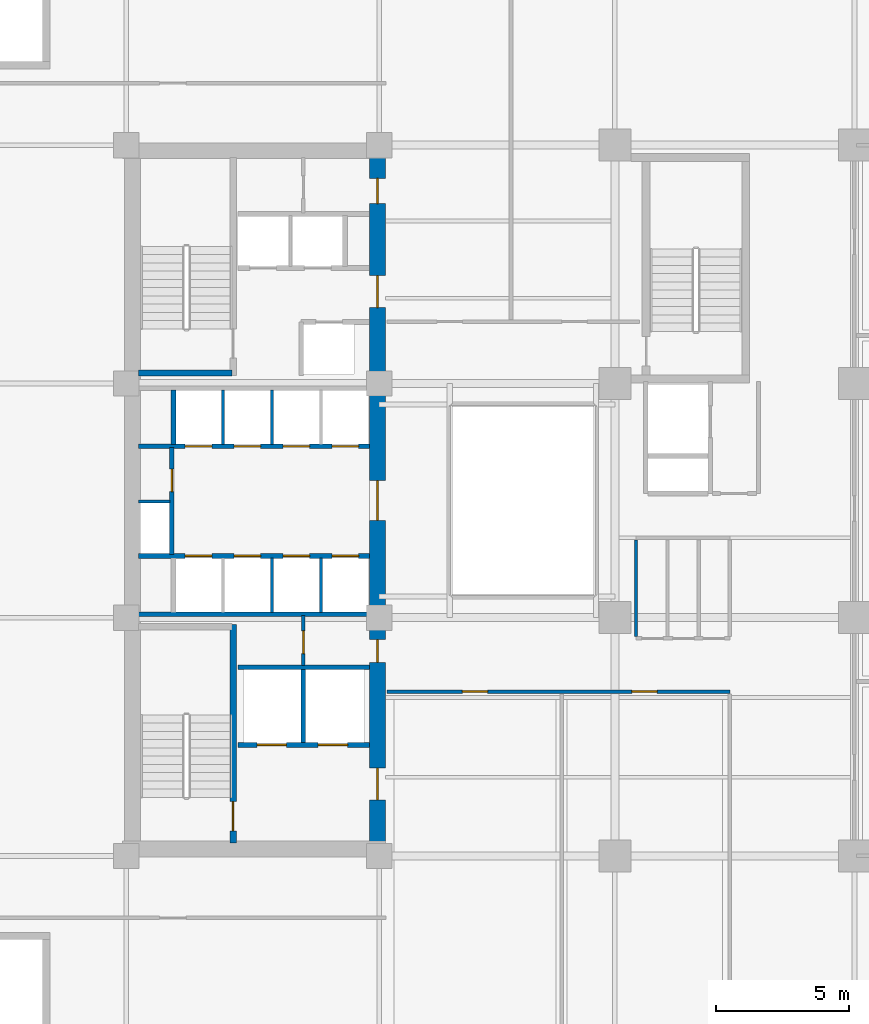
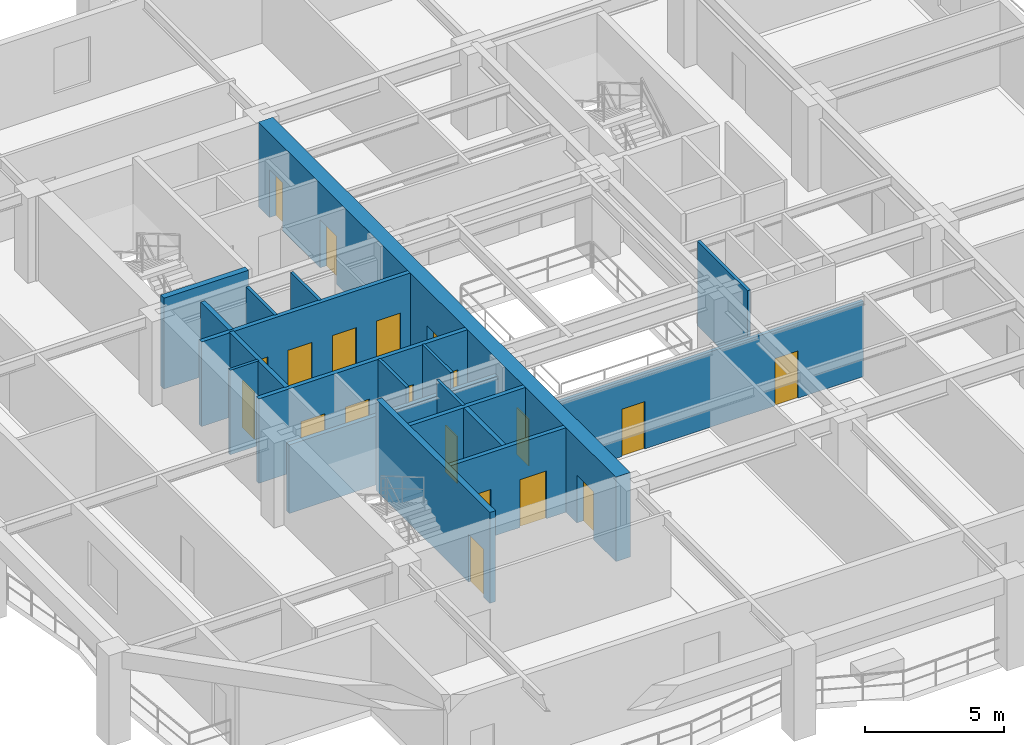
# One storey, part 3 of 12: 20 doors, 19 walls, 20 openings.
"""IFC4 building model written with IfcOpenShell, lengths in metres."""

from ifc_helpers import new_model, si_unit, direction, frame, frame_2d, origin, place, context, subcontext, project, spatial, rectangle, extrude, material, layer, layer_set, type_object, element, fill, save


model = new_model("IFC4")

# Units and contexts
model_context = context("Model", 3, precision=1e-05, world=origin(), true_north=direction((0.0, 1.0)))
body_context = subcontext(model_context, "Body", "Model", "MODEL_VIEW")
ifc_project = project(units=[si_unit("LENGTHUNIT", "METRE"), si_unit("AREAUNIT", "SQUARE_METRE"), si_unit("VOLUMEUNIT", "CUBIC_METRE"), si_unit("PLANEANGLEUNIT", "RADIAN"), si_unit("MASSUNIT", "GRAM", prefix="KILO")], contexts=[model_context])

# Site, building, storey
site_placement = place(None, origin())
site = spatial("IfcSite", under=ifc_project, at=site_placement, CompositionType="ELEMENT")
building_placement = place(site_placement, origin())
building = spatial("IfcBuilding", under=site, at=building_placement, Name="Kundavana Baori Tower", CompositionType="ELEMENT")
storey_placement = place(building_placement, frame((0.0, 0.0, 46.0)))
storey = spatial("IfcBuildingStorey", under=building, at=storey_placement, Name="L10", CompositionType="ELEMENT", Elevation=46.0)

# Wall, opening, door
ifc_material_1 = material(Name="Concrete C50/60", Category="concrete")
ifc_layer_1 = layer(ifc_material_1, 0.39990234375, Name="WL-CORE-400")
ifc_layer_set_1 = layer_set([ifc_layer_1], Name="Concrete C50/60")
wall_type_1 = type_object("IfcWallType", Name="WL-CORE-400", PredefinedType="SHEAR", material=ifc_layer_set_1)
wall_1_placement = place(storey_placement, frame((19.4599609375, 15.739990234375, 0.0), z_axis=(0.0, 0.0, 1.0), x_axis=(0.0, 1.0, 0.0)))
wall_1 = element("IfcWall", 1, at=wall_1_placement, inside=storey, type_object=wall_type_1, Name="WL-L10-ST1-E", PredefinedType="SHEAR", context=body_context, shape_type="SweptSolid", body=[
    extrude(rectangle(XDim=8.199951171875, YDim=0.239990234375, at=frame_2d((4.10009765625, 0.0))), origin(), (0.0, 0.0, 1.0), 4.0),
])
opening_1_placement = place(wall_1_placement, frame((0.449951171875, 0.0, 0.0)))
opening_1 = element("IfcOpeningElement", 2, at=opening_1_placement, cuts=wall_1, Name="Opening FD-110", PredefinedType="OPENING", context=body_context, shape_type="SweptSolid", body=[
    extrude(rectangle(XDim=1.10009765625, YDim=2.10009765625, at=frame_2d((0.550048828125, 1.050048828125))), frame((0.0, 0.1298828125, 0.0), z_axis=(0.0, -1.0, 0.0), x_axis=(1.0, 0.0, 0.0)), (0.0, 0.0, 1.0), 0.260009765625),
])
ifc_material_2 = material(Name="Galvanised Steel Fire-Rated Door Leaf", Category="steel")
door_type_1 = type_object("IfcDoorType", Name="DR-FD120-1100", OperationType="NOTDEFINED", PredefinedType="DOOR", material=ifc_material_2)
door_1_placement = place(opening_1_placement, origin())
door_1 = element("IfcDoor", 3, at=door_1_placement, inside=storey, type_object=door_type_1, Name="DR-L10-ST1", OperationType="SINGLE_SWING_LEFT", OverallHeight=2.10009765625, OverallWidth=1.10009765625, PredefinedType="DOOR", context=body_context, shape_type="SweptSolid", body=[
    extrude(rectangle(XDim=1.10009765625, YDim=2.10009765625, at=frame_2d((0.550048828125, 1.050048828125))), frame((0.0, 0.02490234375, 0.0), z_axis=(0.0, -1.0, 0.0), x_axis=(1.0, 0.0, 0.0)), (0.0, 0.0, 1.0), 0.050048828125),
])
fill(opening_1, door_1)

# Wall
wall_2_placement = place(storey_placement, frame((15.89990234375, 33.389892578125, 0.0), z_axis=(0.0, 0.0, 1.0), x_axis=(1.0, 0.0, 0.0)))
element("IfcWall", 4, at=wall_2_placement, inside=storey, type_object=wall_type_1, Name="WL-L10-ST2-S", PredefinedType="SHEAR", context=body_context, shape_type="SweptSolid", body=[
    extrude(rectangle(XDim=3.52001953125, YDim=0.239990234375, at=frame_2d((1.760009765625, 0.0))), origin(), (0.0, 0.0, 1.0), 4.0),
])

# Wall, openings, doors
ifc_material_3 = material(Name="Concrete C60/75", Category="concrete")
ifc_layer_2 = layer(ifc_material_3, 0.60009765625, Name="WL-CORE-600")
ifc_layer_set_2 = layer_set([ifc_layer_2], Name="Concrete C60/75")
wall_type_2 = type_object("IfcWallType", Name="WL-CORE-600", PredefinedType="SHEAR", material=ifc_layer_set_2)
wall_3_placement = place(storey_placement, frame((24.8798828125, 15.739990234375, 0.0), z_axis=(0.0, 0.0, 1.0), x_axis=(0.0, 1.0, 0.0)))
wall_3 = element("IfcWall", 5, at=wall_3_placement, inside=storey, type_object=wall_type_2, Name="L10 Offset Core East Shear Wall", PredefinedType="SHEAR", context=body_context, shape_type="SweptSolid", body=[
    extrude(rectangle(XDim=25.760009765625, YDim=0.60009765625, at=frame_2d((12.8798828125, 0.0))), origin(), (0.0, 0.0, 1.0), 3.719970703125),
])
opening_2_placement = place(wall_3_placement, frame((1.610107421875, 0.0, 0.0)))
opening_2 = element("IfcOpeningElement", 6, at=opening_2_placement, cuts=wall_3, Name="Opening FD-120", PredefinedType="OPENING", context=body_context, shape_type="SweptSolid", body=[
    extrude(rectangle(XDim=1.199951171875, YDim=2.10009765625, at=frame_2d((0.60009765625, 1.050048828125))), frame((0.0, 0.31005859375, 0.0), z_axis=(0.0, -1.0, 0.0), x_axis=(1.0, 0.0, 0.0)), (0.0, 0.0, 1.0), 0.6201171875),
])
opening_3_placement = place(wall_3_placement, frame((6.780029296875, 0.0, 0.0)))
opening_3 = element("IfcOpeningElement", 7, at=opening_3_placement, cuts=wall_3, Name="Opening FD-085", PredefinedType="OPENING", context=body_context, shape_type="SweptSolid", body=[
    extrude(rectangle(XDim=0.85009765625, YDim=2.06005859375, at=frame_2d((0.425048828125, 1.030029296875))), frame((0.0, 0.31005859375, 0.0), z_axis=(0.0, -1.0, 0.0), x_axis=(1.0, 0.0, 0.0)), (0.0, 0.0, 1.0), 0.6201171875),
])
opening_4_placement = place(wall_3_placement, frame((12.110107421875, 0.0, 0.0)))
opening_4 = element("IfcOpeningElement", 8, at=opening_4_placement, cuts=wall_3, Name="Opening FD-150", PredefinedType="OPENING", context=body_context, shape_type="SweptSolid", body=[
    extrude(rectangle(XDim=1.5, YDim=2.1201171875, at=frame_2d((0.75, 1.06005859375))), frame((0.0, 0.31005859375, 0.0), z_axis=(0.0, -1.0, 0.0), x_axis=(1.0, 0.0, 0.0)), (0.0, 0.0, 1.0), 0.6201171875),
])
opening_5_placement = place(wall_3_placement, frame((20.110107421875, 0.0, 0.0)))
opening_5 = element("IfcOpeningElement", 9, at=opening_5_placement, cuts=wall_3, Name="Opening FD-122", PredefinedType="OPENING", context=body_context, shape_type="SweptSolid", body=[
    extrude(rectangle(XDim=1.199951171875, YDim=2.1201171875, at=frame_2d((0.60009765625, 1.06005859375))), frame((0.0, 0.31005859375, 0.0), z_axis=(0.0, -1.0, 0.0), x_axis=(1.0, 0.0, 0.0)), (0.0, 0.0, 1.0), 0.6201171875),
])
opening_6_placement = place(wall_3_placement, frame((24.010009765625, 0.0, 0.0)))
opening_6 = element("IfcOpeningElement", 10, at=opening_6_placement, cuts=wall_3, Name="Opening FD-095", PredefinedType="OPENING", context=body_context, shape_type="SweptSolid", body=[
    extrude(rectangle(XDim=0.949951171875, YDim=2.10009765625, at=frame_2d((0.47509765625, 1.050048828125))), frame((0.0, 0.31005859375, 0.0), z_axis=(0.0, -1.0, 0.0), x_axis=(1.0, 0.0, 0.0)), (0.0, 0.0, 1.0), 0.6201171875),
])
ifc_material_4 = material(Name="Galvanised Steel Fire-Rated Door Leaf", Category="steel")
door_type_2 = type_object("IfcDoorType", Name="DR-FD120-1200", OperationType="NOTDEFINED", PredefinedType="DOOR", material=ifc_material_4)
door_2_placement = place(opening_2_placement, frame((1.199951171875, 0.0, 0.0), z_axis=(0.0, 0.0, 1.0), x_axis=(-1.0, 0.0, 0.0)))
door_2 = element("IfcDoor", 11, at=door_2_placement, inside=storey, type_object=door_type_2, Name="DR-L10-FFLOB-E", OperationType="SINGLE_SWING_RIGHT", OverallHeight=2.10009765625, OverallWidth=1.199951171875, PredefinedType="DOOR", context=body_context, shape_type="SweptSolid", body=[
    extrude(rectangle(XDim=1.199951171875, YDim=2.10009765625, at=frame_2d((0.60009765625, 1.050048828125))), frame((0.0, 0.02490234375, 0.0), z_axis=(0.0, -1.0, 0.0), x_axis=(1.0, 0.0, 0.0)), (0.0, 0.0, 1.0), 0.050048828125),
])
fill(opening_2, door_2)
ifc_material_5 = material(Name="Galvanised Steel Fire-Rated Door Leaf", Category="steel")
door_type_3 = type_object("IfcDoorType", Name="DR-FD60-1200", OperationType="NOTDEFINED", PredefinedType="DOOR", material=ifc_material_5)
door_3_placement = place(opening_5_placement, frame((1.199951171875, 0.0, 0.0), z_axis=(0.0, 0.0, 1.0), x_axis=(-1.0, 0.0, 0.0)))
door_3 = element("IfcDoor", 12, at=door_3_placement, inside=storey, type_object=door_type_3, Name="DR-L10-HRLOB-E", OperationType="SINGLE_SWING_RIGHT", OverallHeight=2.1201171875, OverallWidth=1.199951171875, PredefinedType="DOOR", context=body_context, shape_type="SweptSolid", body=[
    extrude(rectangle(XDim=1.199951171875, YDim=2.1201171875, at=frame_2d((0.60009765625, 1.06005859375))), frame((0.0, 0.02490234375, 0.0), z_axis=(0.0, -1.0, 0.0), x_axis=(1.0, 0.0, 0.0)), (0.0, 0.0, 1.0), 0.050048828125),
])
fill(opening_5, door_3)
ifc_material_6 = material(Name="Galvanised Steel Fire-Rated Door Leaf", Category="steel")
door_type_4 = type_object("IfcDoorType", Name="DR-FD60-1500", OperationType="NOTDEFINED", PredefinedType="DOOR", material=ifc_material_6)
door_4_placement = place(opening_4_placement, frame((1.5, 0.0, 0.0), z_axis=(0.0, 0.0, 1.0), x_axis=(-1.0, 0.0, 0.0)))
door_4 = element("IfcDoor", 13, at=door_4_placement, inside=storey, type_object=door_type_4, Name="DR-L10-LIFTHALL-E", OperationType="SINGLE_SWING_LEFT", OverallHeight=2.1201171875, OverallWidth=1.5, PredefinedType="DOOR", context=body_context, shape_type="SweptSolid", body=[
    extrude(rectangle(XDim=1.5, YDim=2.1201171875, at=frame_2d((0.75, 1.06005859375))), frame((0.0, 0.02490234375, 0.0), z_axis=(0.0, -1.0, 0.0), x_axis=(1.0, 0.0, 0.0)), (0.0, 0.0, 1.0), 0.050048828125),
])
fill(opening_4, door_4)
ifc_material_7 = material(Name="Galvanised Steel Fire-Rated Door Leaf", Category="steel")
door_type_5 = type_object("IfcDoorType", Name="DR-FD60-850", OperationType="NOTDEFINED", PredefinedType="DOOR", material=ifc_material_7)
door_5_placement = place(opening_3_placement, frame((0.85009765625, 0.0, 0.0), z_axis=(0.0, 0.0, 1.0), x_axis=(-1.0, 0.0, 0.0)))
door_5 = element("IfcDoor", 14, at=door_5_placement, inside=storey, type_object=door_type_5, Name="DR-L10-CSMK2", OperationType="SINGLE_SWING_RIGHT", OverallHeight=2.06005859375, OverallWidth=0.85009765625, PredefinedType="DOOR", context=body_context, shape_type="SweptSolid", body=[
    extrude(rectangle(XDim=0.85009765625, YDim=2.06005859375, at=frame_2d((0.425048828125, 1.030029296875))), frame((0.0, 0.02490234375, 0.0), z_axis=(0.0, -1.0, 0.0), x_axis=(1.0, 0.0, 0.0)), (0.0, 0.0, 1.0), 0.050048828125),
])
fill(opening_3, door_5)
ifc_material_8 = material(Name="Engineered Teak Fire-Rated Timber Door Leaf", Category="wood")
door_type_6 = type_object("IfcDoorType", Name="DR-FD60-950", OperationType="NOTDEFINED", PredefinedType="DOOR", material=ifc_material_8)
door_6_placement = place(opening_6_placement, frame((0.949951171875, 0.0, 0.0), z_axis=(0.0, 0.0, 1.0), x_axis=(-1.0, 0.0, 0.0)))
door_6 = element("IfcDoor", 15, at=door_6_placement, inside=storey, type_object=door_type_6, Name="DR-L10-CSRV2", OperationType="SINGLE_SWING_RIGHT", OverallHeight=2.10009765625, OverallWidth=0.949951171875, PredefinedType="DOOR", context=body_context, shape_type="SweptSolid", body=[
    extrude(rectangle(XDim=0.949951171875, YDim=2.10009765625, at=frame_2d((0.47509765625, 1.050048828125))), frame((0.0, 0.02490234375, 0.0), z_axis=(0.0, -1.0, 0.0), x_axis=(1.0, 0.0, 0.0)), (0.0, 0.0, 1.0), 0.050048828125),
])
fill(opening_6, door_6)

# Wall, opening, door
ifc_material_9 = material(Name="Acoustic Gypsum Plasterboard on Galvanised Steel Studs", Category="steel")
ifc_layer_3 = layer(ifc_material_9, 0.1201171875, Name="WL-PART-120")
ifc_layer_set_3 = layer_set([ifc_layer_3], Name="Acoustic Gypsum Plasterboard on Galvanised Steel Studs")
wall_type_3 = type_object("IfcWallType", Name="WL-PART-120", PredefinedType="PARTITIONING", material=ifc_layer_set_3)
wall_4_placement = place(storey_placement, frame((22.10009765625, 22.39990234375, 0.0), z_axis=(0.0, 0.0, 1.0), x_axis=(0.0, 1.0, 0.0)))
wall_4 = element("IfcWall", 16, at=wall_4_placement, inside=storey, type_object=wall_type_3, Name="WL-L10-CSMK-D1", PredefinedType="PARTITIONING", context=body_context, shape_type="SweptSolid", body=[
    extrude(rectangle(XDim=1.880126953125, YDim=0.1201171875, at=frame_2d((0.93994140625, 0.0))), origin(), (0.0, 0.0, 1.0), 3.719970703125),
])
opening_7_placement = place(wall_4_placement, frame((0.449951171875, 0.0, 0.0)))
opening_7 = element("IfcOpeningElement", 17, at=opening_7_placement, cuts=wall_4, Name="Opening FD-085", PredefinedType="OPENING", context=body_context, shape_type="SweptSolid", body=[
    extrude(rectangle(XDim=0.85009765625, YDim=2.06005859375, at=frame_2d((0.425048828125, 1.030029296875))), frame((0.0, 0.070068359375, 0.0), z_axis=(0.0, -1.0, 0.0), x_axis=(1.0, 0.0, 0.0)), (0.0, 0.0, 1.0), 0.14013671875),
])
door_7_placement = place(opening_7_placement, origin())
door_7 = element("IfcDoor", 18, at=door_7_placement, inside=storey, type_object=door_type_5, Name="DR-L10-CSMK1", OperationType="SINGLE_SWING_LEFT", OverallHeight=2.06005859375, OverallWidth=0.85009765625, PredefinedType="DOOR", context=body_context, shape_type="SweptSolid", body=[
    extrude(rectangle(XDim=0.85009765625, YDim=2.06005859375, at=frame_2d((0.425048828125, 1.030029296875))), frame((0.0, 0.02490234375, 0.0), z_axis=(0.0, -1.0, 0.0), x_axis=(1.0, 0.0, 0.0)), (0.0, 0.0, 1.0), 0.050048828125),
])
fill(opening_7, door_7)

# Walls
for number, where, z_axis, x_axis, name in (
    (19, (20.919921875, 24.39990234375, 0.0), (0.0, 0.0, 1.0), (0.0, 1.0, 0.0), "WL-L10-LPLOW-D2"),
    (20, (22.760009765625, 24.39990234375, 0.0), (0.0, 0.0, 1.0), (0.0, 1.0, 0.0), "WL-L10-LPLOW-D3"),
):
    element("IfcWall", number, at=place(storey_placement, frame(where, z_axis=z_axis, x_axis=x_axis)), inside=storey, type_object=wall_type_3, Name=name, PredefinedType="PARTITIONING", context=body_context, shape_type="SweptSolid", body=[
        extrude(rectangle(XDim=2.050048828125, YDim=0.1201171875, at=frame_2d((1.02490234375, 0.0))), origin(), (0.0, 0.0, 1.0), 3.719970703125),
    ])
wall_5_placement = place(storey_placement, frame((15.89990234375, 28.56005859375, 0.0), z_axis=(0.0, 0.0, 1.0), x_axis=(1.0, 0.0, 0.0)))
element("IfcWall", 21, at=wall_5_placement, inside=storey, type_object=wall_type_3, Name="WL-L10-RSRW-N", PredefinedType="PARTITIONING", context=body_context, shape_type="SweptSolid", body=[
    extrude(rectangle(XDim=1.2001953125, YDim=0.1201171875, at=frame_2d((0.60009765625, 0.0))), origin(), (0.0, 0.0, 1.0), 3.719970703125),
])
for number, where, z_axis, x_axis, name in (
    (22, (19.080078125, 30.699951171875, 0.0), (0.0, 0.0, 1.0), (0.0, 1.0, 0.0), "WL-L10-LPMID-D1"),
    (23, (20.919921875, 30.699951171875, 0.0), (0.0, 0.0, 1.0), (0.0, 1.0, 0.0), "WL-L10-LPMID-D2"),
):
    element("IfcWall", number, at=place(storey_placement, frame(where, z_axis=z_axis, x_axis=x_axis)), inside=storey, type_object=wall_type_3, Name=name, PredefinedType="PARTITIONING", context=body_context, shape_type="SweptSolid", body=[
        extrude(rectangle(XDim=2.050048828125, YDim=0.1201171875, at=frame_2d((1.02490234375, 0.0))), origin(), (0.0, 0.0, 1.0), 3.719970703125),
    ])

# Wall, openings, doors
ifc_material_10 = material(Name="Acoustic Gypsum Plasterboard on Galvanised Steel Studs", Category="steel")
ifc_layer_4 = layer(ifc_material_10, 0.135009765625, Name="WL-PART-135")
ifc_layer_set_4 = layer_set([ifc_layer_4], Name="Acoustic Gypsum Plasterboard on Galvanised Steel Studs")
wall_type_4 = type_object("IfcWallType", Name="WL-PART-135", PredefinedType="PARTITIONING", material=ifc_layer_set_4)
wall_6_placement = place(storey_placement, frame((25.25, 21.419921875, 0.0), z_axis=(0.0, 0.0, 1.0), x_axis=(1.0, 0.0, 0.0)))
wall_6 = element("IfcWall", 24, at=wall_6_placement, inside=storey, type_object=wall_type_4, Name="WL-L10-OFS", PredefinedType="PARTITIONING", context=body_context, shape_type="SweptSolid", body=[
    extrude(rectangle(XDim=12.8701171875, YDim=0.135009765625, at=frame_2d((6.43505859375, 0.0))), origin(), (0.0, 0.0, 1.0), 3.320068359375),
])
opening_8_placement = place(wall_6_placement, frame((2.824951171875, 0.0, 0.0)))
opening_8 = element("IfcOpeningElement", 25, at=opening_8_placement, cuts=wall_6, Name="Opening ID-095", PredefinedType="OPENING", context=body_context, shape_type="SweptSolid", body=[
    extrude(rectangle(XDim=0.949951171875, YDim=2.080078125, at=frame_2d((0.47509765625, 1.0400390625))), frame((0.0, 0.07763671875, 0.0), z_axis=(0.0, -1.0, 0.0), x_axis=(1.0, 0.0, 0.0)), (0.0, 0.0, 1.0), 0.155029296875),
])
opening_9_placement = place(wall_6_placement, frame((9.195068359375, 0.0, 0.0)))
opening_9 = element("IfcOpeningElement", 26, at=opening_9_placement, cuts=wall_6, Name="Opening ID-095", PredefinedType="OPENING", context=body_context, shape_type="SweptSolid", body=[
    extrude(rectangle(XDim=0.949951171875, YDim=2.080078125, at=frame_2d((0.47509765625, 1.0400390625))), frame((0.0, 0.07763671875, 0.0), z_axis=(0.0, -1.0, 0.0), x_axis=(1.0, 0.0, 0.0)), (0.0, 0.0, 1.0), 0.155029296875),
])
ifc_material_11 = material(Name="Engineered Teak Solid-Core Timber Veneer", Category="wood")
door_type_7 = type_object("IfcDoorType", Name="DR-INT-950", OperationType="NOTDEFINED", PredefinedType="DOOR", material=ifc_material_11)
door_8_placement = place(opening_8_placement, frame((0.949951171875, 0.0, 0.0), z_axis=(0.0, 0.0, 1.0), x_axis=(-1.0, 0.0, 0.0)))
door_8 = element("IfcDoor", 27, at=door_8_placement, inside=storey, type_object=door_type_7, Name="DR-L10-OFS1", OperationType="SINGLE_SWING_LEFT", OverallHeight=2.080078125, OverallWidth=0.949951171875, PredefinedType="DOOR", context=body_context, shape_type="SweptSolid", body=[
    extrude(rectangle(XDim=0.949951171875, YDim=2.080078125, at=frame_2d((0.47509765625, 1.0400390625))), frame((0.0, 0.02490234375, 0.0), z_axis=(0.0, -1.0, 0.0), x_axis=(1.0, 0.0, 0.0)), (0.0, 0.0, 1.0), 0.050048828125),
])
fill(opening_8, door_8)
door_9_placement = place(opening_9_placement, frame((0.949951171875, 0.0, 0.0), z_axis=(0.0, 0.0, 1.0), x_axis=(-1.0, 0.0, 0.0)))
door_9 = element("IfcDoor", 28, at=door_9_placement, inside=storey, type_object=door_type_7, Name="DR-L10-OFS2", OperationType="SINGLE_SWING_RIGHT", OverallHeight=2.080078125, OverallWidth=0.949951171875, PredefinedType="DOOR", context=body_context, shape_type="SweptSolid", body=[
    extrude(rectangle(XDim=0.949951171875, YDim=2.080078125, at=frame_2d((0.47509765625, 1.0400390625))), frame((0.0, 0.02490234375, 0.0), z_axis=(0.0, -1.0, 0.0), x_axis=(1.0, 0.0, 0.0)), (0.0, 0.0, 1.0), 0.050048828125),
])
fill(opening_9, door_9)

ifc_material_12 = material(Name="Autoclaved Aerated Concrete Blockwork Masonry", Category="masonry")
ifc_layer_5 = layer(ifc_material_12, 0.179931640625, Name="WL-SHAFT-180")
ifc_layer_set_5 = layer_set([ifc_layer_5], Name="Autoclaved Aerated Concrete Blockwork Masonry")
wall_type_5 = type_object("IfcWallType", Name="WL-SHAFT-180", PredefinedType="SOLIDWALL", material=ifc_layer_set_5)
wall_7_placement = place(storey_placement, frame((19.639892578125, 19.419921875, 0.0), z_axis=(0.0, 0.0, 1.0), x_axis=(1.0, 0.0, 0.0)))
wall_7 = element("IfcWall", 29, at=wall_7_placement, inside=storey, type_object=wall_type_5, Name="WL-L10-FFL-S", PredefinedType="SOLIDWALL", context=body_context, shape_type="SweptSolid", body=[
    extrude(rectangle(XDim=4.940185546875, YDim=0.179931640625, at=frame_2d((2.47021484375, 0.0))), origin(), (0.0, 0.0, 1.0), 3.719970703125),
])
opening_10_placement = place(wall_7_placement, frame((0.719970703125, 0.0, 0.0)))
opening_10 = element("IfcOpeningElement", 30, at=opening_10_placement, cuts=wall_7, Name="Opening LD-110", PredefinedType="OPENING", context=body_context, shape_type="SweptSolid", body=[
    extrude(rectangle(XDim=1.10009765625, YDim=2.10009765625, at=frame_2d((0.550048828125, 1.050048828125))), frame((0.0, 0.10009765625, 0.0), z_axis=(0.0, -1.0, 0.0), x_axis=(1.0, 0.0, 0.0)), (0.0, 0.0, 1.0), 0.199951171875),
])
opening_11_placement = place(wall_7_placement, frame((3.02001953125, 0.0, 0.0)))
opening_11 = element("IfcOpeningElement", 31, at=opening_11_placement, cuts=wall_7, Name="Opening LD-110", PredefinedType="OPENING", context=body_context, shape_type="SweptSolid", body=[
    extrude(rectangle(XDim=1.10009765625, YDim=2.10009765625, at=frame_2d((0.550048828125, 1.050048828125))), frame((0.0, 0.10009765625, 0.0), z_axis=(0.0, -1.0, 0.0), x_axis=(1.0, 0.0, 0.0)), (0.0, 0.0, 1.0), 0.199951171875),
])
ifc_material_13 = material(Name="Galvanised Steel Fire-Rated Door Leaf", Category="steel")
door_type_8 = type_object("IfcDoorType", Name="DR-SLIDE-LD1100", OperationType="NOTDEFINED", PredefinedType="DOOR", material=ifc_material_13)
door_10_placement = place(opening_10_placement, origin())
door_10 = element("IfcDoor", 32, at=door_10_placement, inside=storey, type_object=door_type_8, Name="DR-L10-LD-FFL-1", OperationType="DOUBLE_DOOR_SLIDING", OverallHeight=2.10009765625, OverallWidth=1.10009765625, PredefinedType="DOOR", context=body_context, shape_type="SweptSolid", body=[
    extrude(rectangle(XDim=1.10009765625, YDim=2.10009765625, at=frame_2d((0.550048828125, 1.050048828125))), frame((0.0, 0.02490234375, 0.0), z_axis=(0.0, -1.0, 0.0), x_axis=(1.0, 0.0, 0.0)), (0.0, 0.0, 1.0), 0.050048828125),
])
fill(opening_10, door_10)
door_11_placement = place(opening_11_placement, origin())
door_11 = element("IfcDoor", 33, at=door_11_placement, inside=storey, type_object=door_type_8, Name="DR-L10-LD-FFL-2", OperationType="DOUBLE_DOOR_SLIDING", OverallHeight=2.10009765625, OverallWidth=1.10009765625, PredefinedType="DOOR", context=body_context, shape_type="SweptSolid", body=[
    extrude(rectangle(XDim=1.10009765625, YDim=2.10009765625, at=frame_2d((0.550048828125, 1.050048828125))), frame((0.0, 0.02490234375, 0.0), z_axis=(0.0, -1.0, 0.0), x_axis=(1.0, 0.0, 0.0)), (0.0, 0.0, 1.0), 0.050048828125),
])
fill(opening_11, door_11)

# Walls
wall_8_placement = place(storey_placement, frame((22.10009765625, 19.510009765625, 0.0), z_axis=(0.0, 0.0, 1.0), x_axis=(0.0, 1.0, 0.0)))
element("IfcWall", 34, at=wall_8_placement, inside=storey, type_object=wall_type_5, Name="WL-L10-FFL-MID", PredefinedType="SOLIDWALL", context=body_context, shape_type="SweptSolid", body=[
    extrude(rectangle(XDim=2.739990234375, YDim=0.179931640625, at=frame_2d((1.3701171875, 0.0))), origin(), (0.0, 0.0, 1.0), 3.719970703125),
])
wall_9_placement = place(storey_placement, frame((19.639892578125, 22.340087890625, 0.0), z_axis=(0.0, 0.0, 1.0), x_axis=(1.0, 0.0, 0.0)))
element("IfcWall", 35, at=wall_9_placement, inside=storey, type_object=wall_type_5, Name="WL-L10-FFL-N", PredefinedType="SOLIDWALL", context=body_context, shape_type="SweptSolid", body=[
    extrude(rectangle(XDim=4.940185546875, YDim=0.179931640625, at=frame_2d((2.47021484375, 0.0))), origin(), (0.0, 0.0, 1.0), 3.719970703125),
])

# Wall, openings, doors
wall_10_placement = place(storey_placement, frame((15.89990234375, 26.52001953125, 0.0), z_axis=(0.0, 0.0, 1.0), x_axis=(1.0, 0.0, 0.0)))
wall_10 = element("IfcWall", 36, at=wall_10_placement, inside=storey, type_object=wall_type_5, Name="WL-L10-LPLOW-N", PredefinedType="SOLIDWALL", context=body_context, shape_type="SweptSolid", body=[
    extrude(rectangle(XDim=8.68017578125, YDim=0.179931640625, at=frame_2d((4.340087890625, 0.0))), origin(), (0.0, 0.0, 1.0), 3.719970703125),
])
opening_12_placement = place(wall_10_placement, frame((1.760009765625, 0.0, 0.0)))
opening_12 = element("IfcOpeningElement", 37, at=opening_12_placement, cuts=wall_10, Name="Opening LD-100", PredefinedType="OPENING", context=body_context, shape_type="SweptSolid", body=[
    extrude(rectangle(XDim=1.0, YDim=2.10009765625, at=frame_2d((0.5, 1.050048828125))), frame((0.0, 0.10009765625, 0.0), z_axis=(0.0, -1.0, 0.0), x_axis=(1.0, 0.0, 0.0)), (0.0, 0.0, 1.0), 0.199951171875),
])
opening_13_placement = place(wall_10_placement, frame((3.60009765625, 0.0, 0.0)))
opening_13 = element("IfcOpeningElement", 38, at=opening_13_placement, cuts=wall_10, Name="Opening LD-100", PredefinedType="OPENING", context=body_context, shape_type="SweptSolid", body=[
    extrude(rectangle(XDim=1.0, YDim=2.10009765625, at=frame_2d((0.5, 1.050048828125))), frame((0.0, 0.10009765625, 0.0), z_axis=(0.0, -1.0, 0.0), x_axis=(1.0, 0.0, 0.0)), (0.0, 0.0, 1.0), 0.199951171875),
])
opening_14_placement = place(wall_10_placement, frame((5.43994140625, 0.0, 0.0)))
opening_14 = element("IfcOpeningElement", 39, at=opening_14_placement, cuts=wall_10, Name="Opening LD-100", PredefinedType="OPENING", context=body_context, shape_type="SweptSolid", body=[
    extrude(rectangle(XDim=1.0, YDim=2.10009765625, at=frame_2d((0.5, 1.050048828125))), frame((0.0, 0.10009765625, 0.0), z_axis=(0.0, -1.0, 0.0), x_axis=(1.0, 0.0, 0.0)), (0.0, 0.0, 1.0), 0.199951171875),
])
opening_15_placement = place(wall_10_placement, frame((7.280029296875, 0.0, 0.0)))
opening_15 = element("IfcOpeningElement", 40, at=opening_15_placement, cuts=wall_10, Name="Opening LD-100", PredefinedType="OPENING", context=body_context, shape_type="SweptSolid", body=[
    extrude(rectangle(XDim=1.0, YDim=2.10009765625, at=frame_2d((0.5, 1.050048828125))), frame((0.0, 0.10009765625, 0.0), z_axis=(0.0, -1.0, 0.0), x_axis=(1.0, 0.0, 0.0)), (0.0, 0.0, 1.0), 0.199951171875),
])
ifc_material_14 = material(Name="Galvanised Steel Fire-Rated Door Leaf", Category="steel")
door_type_9 = type_object("IfcDoorType", Name="DR-SLIDE-LD1000", OperationType="NOTDEFINED", PredefinedType="DOOR", material=ifc_material_14)
door_12_placement = place(opening_12_placement, origin())
door_12 = element("IfcDoor", 41, at=door_12_placement, inside=storey, type_object=door_type_9, Name="DR-L10-LD-LP-01", OperationType="DOUBLE_DOOR_SLIDING", OverallHeight=2.10009765625, OverallWidth=1.0, PredefinedType="DOOR", context=body_context, shape_type="SweptSolid", body=[
    extrude(rectangle(XDim=1.0, YDim=2.10009765625, at=frame_2d((0.5, 1.050048828125))), frame((0.0, 0.02490234375, 0.0), z_axis=(0.0, -1.0, 0.0), x_axis=(1.0, 0.0, 0.0)), (0.0, 0.0, 1.0), 0.050048828125),
])
fill(opening_12, door_12)
door_13_placement = place(opening_13_placement, origin())
door_13 = element("IfcDoor", 42, at=door_13_placement, inside=storey, type_object=door_type_9, Name="DR-L10-LD-LP-02", OperationType="DOUBLE_DOOR_SLIDING", OverallHeight=2.10009765625, OverallWidth=1.0, PredefinedType="DOOR", context=body_context, shape_type="SweptSolid", body=[
    extrude(rectangle(XDim=1.0, YDim=2.10009765625, at=frame_2d((0.5, 1.050048828125))), frame((0.0, 0.02490234375, 0.0), z_axis=(0.0, -1.0, 0.0), x_axis=(1.0, 0.0, 0.0)), (0.0, 0.0, 1.0), 0.050048828125),
])
fill(opening_13, door_13)
door_14_placement = place(opening_14_placement, origin())
door_14 = element("IfcDoor", 43, at=door_14_placement, inside=storey, type_object=door_type_9, Name="DR-L10-LD-LP-03", OperationType="DOUBLE_DOOR_SLIDING", OverallHeight=2.10009765625, OverallWidth=1.0, PredefinedType="DOOR", context=body_context, shape_type="SweptSolid", body=[
    extrude(rectangle(XDim=1.0, YDim=2.10009765625, at=frame_2d((0.5, 1.050048828125))), frame((0.0, 0.02490234375, 0.0), z_axis=(0.0, -1.0, 0.0), x_axis=(1.0, 0.0, 0.0)), (0.0, 0.0, 1.0), 0.050048828125),
])
fill(opening_14, door_14)
door_15_placement = place(opening_15_placement, origin())
door_15 = element("IfcDoor", 44, at=door_15_placement, inside=storey, type_object=door_type_9, Name="DR-L10-LD-LP-04", OperationType="DOUBLE_DOOR_SLIDING", OverallHeight=2.10009765625, OverallWidth=1.0, PredefinedType="DOOR", context=body_context, shape_type="SweptSolid", body=[
    extrude(rectangle(XDim=1.0, YDim=2.10009765625, at=frame_2d((0.5, 1.050048828125))), frame((0.0, 0.02490234375, 0.0), z_axis=(0.0, -1.0, 0.0), x_axis=(1.0, 0.0, 0.0)), (0.0, 0.0, 1.0), 0.050048828125),
])
fill(opening_15, door_15)

# Wall
wall_11_placement = place(storey_placement, frame((15.89990234375, 24.330078125, 0.0), z_axis=(0.0, 0.0, 1.0), x_axis=(1.0, 0.0, 0.0)))
element("IfcWall", 45, at=wall_11_placement, inside=storey, type_object=wall_type_5, Name="WL-L10-LPLOW-S", PredefinedType="SOLIDWALL", context=body_context, shape_type="SweptSolid", body=[
    extrude(rectangle(XDim=8.68017578125, YDim=0.179931640625, at=frame_2d((4.340087890625, 0.0))), origin(), (0.0, 0.0, 1.0), 3.02001953125),
])

# Wall, opening, door
wall_12_placement = place(storey_placement, frame((17.159912109375, 26.580078125, 0.0), z_axis=(0.0, 0.0, 1.0), x_axis=(0.0, 1.0, 0.0)))
wall_12 = element("IfcWall", 46, at=wall_12_placement, inside=storey, type_object=wall_type_5, Name="WL-L10-RSRW-E", PredefinedType="SOLIDWALL", context=body_context, shape_type="SweptSolid", body=[
    extrude(rectangle(XDim=4.02001953125, YDim=0.179931640625, at=frame_2d((2.010009765625, 0.0))), origin(), (0.0, 0.0, 1.0), 3.719970703125),
])
opening_16_placement = place(wall_12_placement, frame((2.35009765625, 0.0, 0.0)))
opening_16 = element("IfcOpeningElement", 47, at=opening_16_placement, cuts=wall_12, Name="Opening FD-085", PredefinedType="OPENING", context=body_context, shape_type="SweptSolid", body=[
    extrude(rectangle(XDim=0.85009765625, YDim=2.06005859375, at=frame_2d((0.425048828125, 1.030029296875))), frame((0.0, 0.10009765625, 0.0), z_axis=(0.0, -1.0, 0.0), x_axis=(1.0, 0.0, 0.0)), (0.0, 0.0, 1.0), 0.199951171875),
])
door_16_placement = place(opening_16_placement, origin())
door_16 = element("IfcDoor", 48, at=door_16_placement, inside=storey, type_object=door_type_5, Name="DR-L10-CLN", OperationType="SINGLE_SWING_RIGHT", OverallHeight=2.06005859375, OverallWidth=0.85009765625, PredefinedType="DOOR", context=body_context, shape_type="SweptSolid", body=[
    extrude(rectangle(XDim=0.85009765625, YDim=2.06005859375, at=frame_2d((0.425048828125, 1.030029296875))), frame((0.0, 0.02490234375, 0.0), z_axis=(0.0, -1.0, 0.0), x_axis=(1.0, 0.0, 0.0)), (0.0, 0.0, 1.0), 0.050048828125),
])
fill(opening_16, door_16)

# Wall, openings, doors
wall_13_placement = place(storey_placement, frame((15.89990234375, 30.639892578125, 0.0), z_axis=(0.0, 0.0, 1.0), x_axis=(1.0, 0.0, 0.0)))
wall_13 = element("IfcWall", 49, at=wall_13_placement, inside=storey, type_object=wall_type_5, Name="WL-L10-LPMID-S", PredefinedType="SOLIDWALL", context=body_context, shape_type="SweptSolid", body=[
    extrude(rectangle(XDim=8.68017578125, YDim=0.179931640625, at=frame_2d((4.340087890625, 0.0))), origin(), (0.0, 0.0, 1.0), 3.719970703125),
])
opening_17_placement = place(wall_13_placement, frame((1.760009765625, 0.0, 0.0)))
opening_17 = element("IfcOpeningElement", 50, at=opening_17_placement, cuts=wall_13, Name="Opening LD-100", PredefinedType="OPENING", context=body_context, shape_type="SweptSolid", body=[
    extrude(rectangle(XDim=1.0, YDim=2.10009765625, at=frame_2d((0.5, 1.050048828125))), frame((0.0, 0.10009765625, 0.0), z_axis=(0.0, -1.0, 0.0), x_axis=(1.0, 0.0, 0.0)), (0.0, 0.0, 1.0), 0.199951171875),
])
opening_18_placement = place(wall_13_placement, frame((3.60009765625, 0.0, 0.0)))
opening_18 = element("IfcOpeningElement", 51, at=opening_18_placement, cuts=wall_13, Name="Opening LD-100", PredefinedType="OPENING", context=body_context, shape_type="SweptSolid", body=[
    extrude(rectangle(XDim=1.0, YDim=2.10009765625, at=frame_2d((0.5, 1.050048828125))), frame((0.0, 0.10009765625, 0.0), z_axis=(0.0, -1.0, 0.0), x_axis=(1.0, 0.0, 0.0)), (0.0, 0.0, 1.0), 0.199951171875),
])
opening_19_placement = place(wall_13_placement, frame((5.43994140625, 0.0, 0.0)))
opening_19 = element("IfcOpeningElement", 52, at=opening_19_placement, cuts=wall_13, Name="Opening LD-100", PredefinedType="OPENING", context=body_context, shape_type="SweptSolid", body=[
    extrude(rectangle(XDim=1.0, YDim=2.10009765625, at=frame_2d((0.5, 1.050048828125))), frame((0.0, 0.10009765625, 0.0), z_axis=(0.0, -1.0, 0.0), x_axis=(1.0, 0.0, 0.0)), (0.0, 0.0, 1.0), 0.199951171875),
])
opening_20_placement = place(wall_13_placement, frame((7.280029296875, 0.0, 0.0)))
opening_20 = element("IfcOpeningElement", 53, at=opening_20_placement, cuts=wall_13, Name="Opening LD-100", PredefinedType="OPENING", context=body_context, shape_type="SweptSolid", body=[
    extrude(rectangle(XDim=1.0, YDim=2.10009765625, at=frame_2d((0.5, 1.050048828125))), frame((0.0, 0.10009765625, 0.0), z_axis=(0.0, -1.0, 0.0), x_axis=(1.0, 0.0, 0.0)), (0.0, 0.0, 1.0), 0.199951171875),
])
door_17_placement = place(opening_17_placement, frame((1.0, 0.0, 0.0), z_axis=(0.0, 0.0, 1.0), x_axis=(-1.0, 0.0, 0.0)))
door_17 = element("IfcDoor", 54, at=door_17_placement, inside=storey, type_object=door_type_9, Name="DR-L10-LD-LP-05", OperationType="DOUBLE_DOOR_SLIDING", OverallHeight=2.10009765625, OverallWidth=1.0, PredefinedType="DOOR", context=body_context, shape_type="SweptSolid", body=[
    extrude(rectangle(XDim=1.0, YDim=2.10009765625, at=frame_2d((0.5, 1.050048828125))), frame((0.0, 0.02490234375, 0.0), z_axis=(0.0, -1.0, 0.0), x_axis=(1.0, 0.0, 0.0)), (0.0, 0.0, 1.0), 0.050048828125),
])
fill(opening_17, door_17)
door_18_placement = place(opening_18_placement, frame((1.0, 0.0, 0.0), z_axis=(0.0, 0.0, 1.0), x_axis=(-1.0, 0.0, 0.0)))
door_18 = element("IfcDoor", 55, at=door_18_placement, inside=storey, type_object=door_type_9, Name="DR-L10-LD-LP-06", OperationType="DOUBLE_DOOR_SLIDING", OverallHeight=2.10009765625, OverallWidth=1.0, PredefinedType="DOOR", context=body_context, shape_type="SweptSolid", body=[
    extrude(rectangle(XDim=1.0, YDim=2.10009765625, at=frame_2d((0.5, 1.050048828125))), frame((0.0, 0.02490234375, 0.0), z_axis=(0.0, -1.0, 0.0), x_axis=(1.0, 0.0, 0.0)), (0.0, 0.0, 1.0), 0.050048828125),
])
fill(opening_18, door_18)
door_19_placement = place(opening_19_placement, frame((1.0, 0.0, 0.0), z_axis=(0.0, 0.0, 1.0), x_axis=(-1.0, 0.0, 0.0)))
door_19 = element("IfcDoor", 56, at=door_19_placement, inside=storey, type_object=door_type_9, Name="DR-L10-LD-LP-07", OperationType="DOUBLE_DOOR_SLIDING", OverallHeight=2.10009765625, OverallWidth=1.0, PredefinedType="DOOR", context=body_context, shape_type="SweptSolid", body=[
    extrude(rectangle(XDim=1.0, YDim=2.10009765625, at=frame_2d((0.5, 1.050048828125))), frame((0.0, 0.02490234375, 0.0), z_axis=(0.0, -1.0, 0.0), x_axis=(1.0, 0.0, 0.0)), (0.0, 0.0, 1.0), 0.050048828125),
])
fill(opening_19, door_19)
door_20_placement = place(opening_20_placement, frame((1.0, 0.0, 0.0), z_axis=(0.0, 0.0, 1.0), x_axis=(-1.0, 0.0, 0.0)))
door_20 = element("IfcDoor", 57, at=door_20_placement, inside=storey, type_object=door_type_9, Name="DR-L10-LD-LP-08", OperationType="DOUBLE_DOOR_SLIDING", OverallHeight=2.10009765625, OverallWidth=1.0, PredefinedType="DOOR", context=body_context, shape_type="SweptSolid", body=[
    extrude(rectangle(XDim=1.0, YDim=2.10009765625, at=frame_2d((0.5, 1.050048828125))), frame((0.0, 0.02490234375, 0.0), z_axis=(0.0, -1.0, 0.0), x_axis=(1.0, 0.0, 0.0)), (0.0, 0.0, 1.0), 0.050048828125),
])
fill(opening_20, door_20)

# Walls
wall_14_placement = place(storey_placement, frame((17.219970703125, 30.699951171875, 0.0), z_axis=(0.0, 0.0, 1.0), x_axis=(0.0, 1.0, 0.0)))
element("IfcWall", 58, at=wall_14_placement, inside=storey, type_object=wall_type_5, Name="WL-L10-LPMID-W", PredefinedType="SOLIDWALL", context=body_context, shape_type="SweptSolid", body=[
    extrude(rectangle(XDim=2.050048828125, YDim=0.179931640625, at=frame_2d((1.02490234375, 0.0))), origin(), (0.0, 0.0, 1.0), 3.719970703125),
])
ifc_material_15 = material(Name="Autoclaved Aerated Concrete Blockwork Masonry", Category="masonry")
ifc_layer_6 = layer(ifc_material_15, 0.125, Name="WL-WET-120")
ifc_layer_set_6 = layer_set([ifc_layer_6], Name="Autoclaved Aerated Concrete Blockwork Masonry")
wall_type_6 = type_object("IfcWallType", Name="WL-WET-120", PredefinedType="PLUMBINGWALL", material=ifc_layer_set_6)
wall_15_placement = place(storey_placement, frame((34.60009765625, 23.5, 0.0), z_axis=(0.0, 0.0, 1.0), x_axis=(0.0, 1.0, 0.0)))
element("IfcWall", 59, at=wall_15_placement, inside=storey, type_object=wall_type_6, Name="WL-L10-WCW", PredefinedType="PLUMBINGWALL", context=body_context, shape_type="SweptSolid", body=[
    extrude(rectangle(XDim=3.6201171875, YDim=0.125, at=frame_2d((1.81005859375, 0.0))), origin(), (0.0, 0.0, 1.0), 3.719970703125),
])

save(model, "model.ifc")
